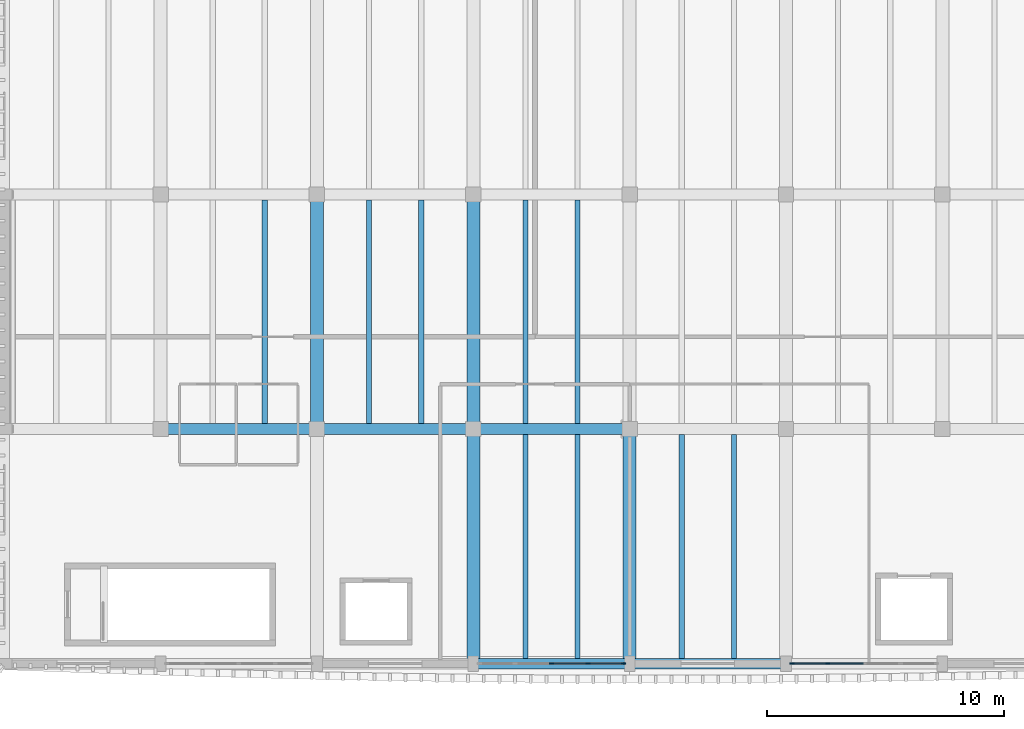
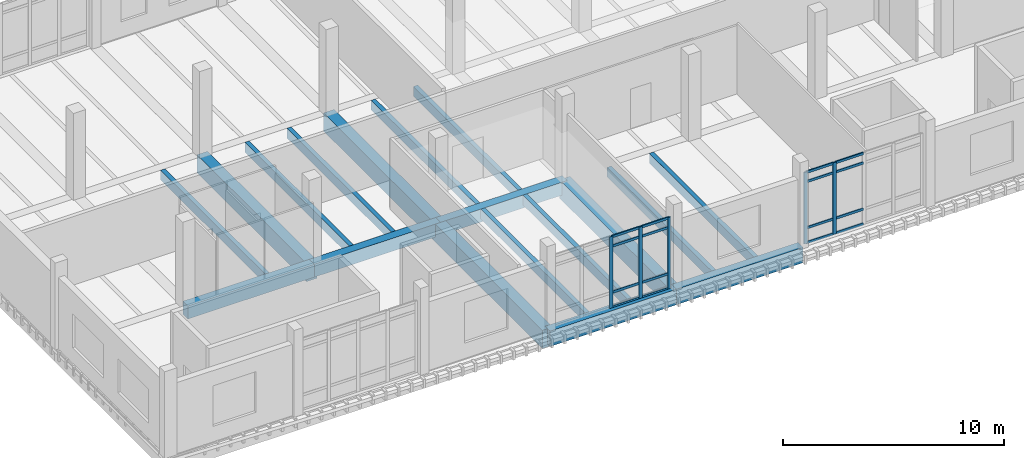
# One storey, part 9 of 37: 21 members, 18 beams, 2 elements without a shape of their own.
"""IFC4 building model written with IfcOpenShell, lengths in metres."""

from ifc_helpers import new_model, si_unit, direction, frame, origin, origin_2d, place, context, subcontext, project, spatial, rectangle, extrude, material, material_profile, profile_set, type_object, element, aggregate, save


model = new_model("IFC4")

# Units and contexts
model_context = context("Model", 3, precision=1e-05, world=origin(), true_north=direction((0.0, 1.0)))
body_context = subcontext(model_context, "Body", "Model", "MODEL_VIEW")
ifc_project = project(units=[si_unit("LENGTHUNIT", "METRE"), si_unit("AREAUNIT", "SQUARE_METRE"), si_unit("VOLUMEUNIT", "CUBIC_METRE"), si_unit("PLANEANGLEUNIT", "RADIAN"), si_unit("MASSUNIT", "GRAM", prefix="KILO")], contexts=[model_context])

# Site, building, storey
site_placement = place(None, origin())
site = spatial("IfcSite", under=ifc_project, at=site_placement, CompositionType="ELEMENT")
building_placement = place(site_placement, origin())
building = spatial("IfcBuilding", under=site, at=building_placement, Name="Dornvale Research Institute", CompositionType="ELEMENT")
storey_placement = place(building_placement, frame((0.0, 0.0, 29.39990234375)))
storey = spatial("IfcBuildingStorey", under=building, at=storey_placement, Name="L06", CompositionType="ELEMENT", Elevation=29.39990234375)

# Beams
ifc_material_1 = material(Name="Concrete f'c 45 MPa (C35/45)", Category="concrete")
ifc_material_profile_1 = material_profile(ifc_material_1, rectangle(XDim=0.449951171875, YDim=0.715087890625, at=origin_2d()), Name="RC 450x715")
ifc_profile_set_1 = profile_set([ifc_material_profile_1], Name="Concrete f'c 45 MPa (C35/45)")
beam_type_1 = type_object("IfcBeamType", Name="Beam_RC450x715_Lab", PredefinedType="BEAM", material=ifc_profile_set_1)
for number, where, z_axis, x_axis, name in (
    (1, (125.39990234375, 102.300048828125, -0.357421875), (1.0, 0.0, 0.0), (0.0, 1.0, 0.0), "L06 primary girder #1507"),
    (2, (132.0, 102.300048828125, -0.357421875), (1.0, 0.0, 0.0), (0.0, 1.0, 0.0), "L06 primary girder #1508"),
):
    element("IfcBeam", number, at=place(storey_placement, frame(where, z_axis=z_axis, x_axis=x_axis)), inside=storey, type_object=beam_type_1, Name=name, PredefinedType="BEAM", context=body_context, shape_type="SweptSolid", body=[
        extrude(rectangle(XDim=0.449951171875, YDim=0.715087890625, at=origin_2d()), origin(), (0.0, 0.0, 1.0), 6.60009765625),
    ])
beam_1_placement = place(storey_placement, frame((138.60009765625, 102.300048828125, -0.357421875), z_axis=(1.0, 0.0, 0.0), x_axis=(0.0, 1.0, 0.0)))
element("IfcBeam", 3, at=beam_1_placement, inside=storey, type_object=beam_type_1, Name="L06 primary girder #1509", PredefinedType="BEAM", context=body_context, shape_type="SweptSolid", body=[
    extrude(rectangle(XDim=0.449951171875, YDim=0.715087890625, at=origin_2d()), origin(), (0.0, 0.0, 1.0), 6.599853515625),
])
ifc_material_2 = material(Name="Concrete f'c 45 MPa (C35/45)", Category="concrete")
ifc_material_profile_2 = material_profile(ifc_material_2, rectangle(XDim=0.550048828125, YDim=1.0, at=origin_2d()), Name="RC 550x1000")
ifc_profile_set_2 = profile_set([ifc_material_profile_2], Name="Concrete f'c 45 MPa (C35/45)")
beam_type_2 = type_object("IfcBeamType", Name="Beam_RC550x1000_Girder", PredefinedType="BEAM", material=ifc_profile_set_2)
beam_2_placement = place(storey_placement, frame((132.0, 102.300048828125, -0.5), z_axis=(0.0, 1.0, 0.0), x_axis=(-1.0, 0.0, 0.0)))
element("IfcBeam", 4, at=beam_2_placement, inside=storey, type_object=beam_type_2, Name="L06 transverse girder #1536", PredefinedType="BEAM", context=body_context, shape_type="SweptSolid", body=[
    extrude(rectangle(XDim=0.550048828125, YDim=1.0, at=origin_2d()), origin(), (0.0, 0.0, 1.0), 9.89990234375),
])
beam_3_placement = place(storey_placement, frame((138.60009765625, 92.39990234375, -0.5), z_axis=(0.0, 1.0, 0.0), x_axis=(-1.0, 0.0, 0.0)))
element("IfcBeam", 5, at=beam_3_placement, inside=storey, type_object=beam_type_2, Name="L06 transverse girder #1538", PredefinedType="BEAM", context=body_context, shape_type="SweptSolid", body=[
    extrude(rectangle(XDim=0.550048828125, YDim=1.0, at=origin_2d()), origin(), (0.0, 0.0, 1.0), 9.900146484375),
])
beam_4_placement = place(storey_placement, frame((138.60009765625, 102.300048828125, -0.5), z_axis=(0.0, 1.0, 0.0), x_axis=(-1.0, 0.0, 0.0)))
element("IfcBeam", 6, at=beam_4_placement, inside=storey, type_object=beam_type_2, Name="L06 transverse girder #1539", PredefinedType="BEAM", context=body_context, shape_type="SweptSolid", body=[
    extrude(rectangle(XDim=0.550048828125, YDim=1.0, at=origin_2d()), origin(), (0.0, 0.0, 1.0), 9.89990234375),
])
beam_5_placement = place(storey_placement, frame((145.199951171875, 92.39990234375, -0.5), z_axis=(0.0, 1.0, 0.0), x_axis=(-1.0, 0.0, 0.0)))
element("IfcBeam", 7, at=beam_5_placement, inside=storey, type_object=beam_type_2, Name="L06 transverse girder #1541", PredefinedType="BEAM", context=body_context, shape_type="SweptSolid", body=[
    extrude(rectangle(XDim=0.550048828125, YDim=1.0, at=origin_2d()), origin(), (0.0, 0.0, 1.0), 9.900146484375),
])
ifc_material_3 = material(Name="Concrete f'c 45 MPa (C35/45)", Category="concrete")
ifc_material_profile_3 = material_profile(ifc_material_3, rectangle(XDim=0.219970703125, YDim=0.534912109375, at=origin_2d()), Name="RC 220x535")
ifc_profile_set_3 = profile_set([ifc_material_profile_3], Name="Concrete f'c 45 MPa (C35/45)")
beam_type_3 = type_object("IfcBeamType", Name="Joist_RC220x535_Waffle", PredefinedType="JOIST", material=ifc_profile_set_3)
for number, where, z_axis, x_axis, name in (
    (8, (129.800048828125, 102.52490234375, -0.267333984375), (0.0, 1.0, 0.0), (-1.0, 0.0, 0.0), "L06 laboratory waffle joist #732"),
    (9, (134.199951171875, 102.52490234375, -0.267333984375), (0.0, 1.0, 0.0), (-1.0, 0.0, 0.0), "L06 laboratory waffle joist #735"),
    (10, (136.39990234375, 102.52490234375, -0.267333984375), (0.0, 1.0, 0.0), (-1.0, 0.0, 0.0), "L06 laboratory waffle joist #736"),
):
    element("IfcBeam", number, at=place(storey_placement, frame(where, z_axis=z_axis, x_axis=x_axis)), inside=storey, type_object=beam_type_3, Name=name, PredefinedType="JOIST", context=body_context, shape_type="SweptSolid", body=[
        extrude(rectangle(XDim=0.219970703125, YDim=0.534912109375, at=origin_2d()), origin(), (0.0, 0.0, 1.0), 9.4501953125),
    ])
for number, where, z_axis, x_axis, name in (
    (11, (140.800048828125, 92.625, -0.267333984375), (0.0, 1.0, 0.0), (-1.0, 0.0, 0.0), "L06 laboratory waffle joist #739"),
    (12, (143.0, 92.625, -0.267333984375), (0.0, 1.0, 0.0), (-1.0, 0.0, 0.0), "L06 laboratory waffle joist #740"),
):
    element("IfcBeam", number, at=place(storey_placement, frame(where, z_axis=z_axis, x_axis=x_axis)), inside=storey, type_object=beam_type_3, Name=name, PredefinedType="JOIST", context=body_context, shape_type="SweptSolid", body=[
        extrude(rectangle(XDim=0.219970703125, YDim=0.534912109375, at=origin_2d()), origin(), (0.0, 0.0, 1.0), 9.449951171875),
    ])
for number, where, z_axis, x_axis, name in (
    (13, (140.800048828125, 102.52490234375, -0.267333984375), (0.0, 1.0, 0.0), (-1.0, 0.0, 0.0), "L06 laboratory waffle joist #741"),
    (14, (143.0, 102.52490234375, -0.267333984375), (0.0, 1.0, 0.0), (-1.0, 0.0, 0.0), "L06 laboratory waffle joist #742"),
):
    element("IfcBeam", number, at=place(storey_placement, frame(where, z_axis=z_axis, x_axis=x_axis)), inside=storey, type_object=beam_type_3, Name=name, PredefinedType="JOIST", context=body_context, shape_type="SweptSolid", body=[
        extrude(rectangle(XDim=0.219970703125, YDim=0.534912109375, at=origin_2d()), origin(), (0.0, 0.0, 1.0), 9.4501953125),
    ])
for number, where, z_axis, x_axis, name in (
    (15, (147.39990234375, 92.625, -0.267333984375), (0.0, 1.0, 0.0), (-1.0, 0.0, 0.0), "L06 laboratory waffle joist #745"),
    (16, (149.60009765625, 92.625, -0.267333984375), (0.0, 1.0, 0.0), (-1.0, 0.0, 0.0), "L06 laboratory waffle joist #746"),
):
    element("IfcBeam", number, at=place(storey_placement, frame(where, z_axis=z_axis, x_axis=x_axis)), inside=storey, type_object=beam_type_3, Name=name, PredefinedType="JOIST", context=body_context, shape_type="SweptSolid", body=[
        extrude(rectangle(XDim=0.219970703125, YDim=0.534912109375, at=origin_2d()), origin(), (0.0, 0.0, 1.0), 9.449951171875),
    ])

# Curtain wall, members
ifc_material_4 = material(Name="Low-E Argon Double Insulating Glazing Unit", Category="glass")
curtain_wall_type = type_object("IfcCurtainWallType", Name="UnitisedCurtainWall_V4_6150x3950", PredefinedType="USERDEFINED", material=ifc_material_4)
curtain_wall_1_placement = place(storey_placement, origin())
curtain_wall_1 = element("IfcCurtainWall", 17, at=curtain_wall_1_placement, inside=storey, type_object=curtain_wall_type, Name="L06 V4 unitised curtain wall CW-15 #122", ObjectType="UNITISED CURTAIN WALL", PredefinedType="USERDEFINED")
ifc_material_5 = material(Name="Anodized Aluminum AA 6063-T6 Thermally Broken Frame", Category="aluminium")
ifc_material_profile_4 = material_profile(ifc_material_5, rectangle(XDim=0.06494140625, YDim=0.179931640625, at=origin_2d()), Name="ALU MULLION 65x180")
ifc_profile_set_4 = profile_set([ifc_material_profile_4], Name="Anodized Aluminum AA 6063-T6 Thermally Broken Frame")
member_type_1 = type_object("IfcMemberType", Name="Mullion_CW_65x180", PredefinedType="MULLION", material=ifc_profile_set_4)
member_1_placement = place(storey_placement, frame((153.5625, 92.39990234375, 0.0), z_axis=(0.0, 0.0, 1.0), x_axis=(0.0, -1.0, 0.0)))
member_1 = element("IfcMember", 18, at=member_1_placement, type_object=member_type_1, Name="CW-15 mullion 4", PredefinedType="MULLION", context=body_context, shape_type="SweptSolid", body=[
    extrude(rectangle(XDim=0.06494140625, YDim=0.179931640625, at=origin_2d()), origin(), (0.0, 0.0, 1.0), 3.9501953125),
])
member_2_placement = place(storey_placement, frame((152.0576171875, 92.39990234375, 0.0), z_axis=(0.0, 0.0, 1.0), x_axis=(0.0, -1.0, 0.0)))
member_2 = element("IfcMember", 19, at=member_2_placement, type_object=member_type_1, Name="CW-15 mullion 5", PredefinedType="MULLION", context=body_context, shape_type="SweptSolid", body=[
    extrude(rectangle(XDim=0.06494140625, YDim=0.179931640625, at=origin_2d()), origin(), (0.0, 0.0, 1.0), 3.9501953125),
])

curtain_wall_2_placement = place(storey_placement, origin())
curtain_wall_2 = element("IfcCurtainWall", 20, at=curtain_wall_2_placement, inside=storey, type_object=curtain_wall_type, Name="L06 V4 unitised curtain wall CW-15 #123", ObjectType="UNITISED CURTAIN WALL", PredefinedType="USERDEFINED")
member_3_placement = place(storey_placement, frame((144.9423828125, 92.39990234375, 0.0), z_axis=(0.0, 0.0, 1.0), x_axis=(0.0, -1.0, 0.0)))
member_3 = element("IfcMember", 21, at=member_3_placement, type_object=member_type_1, Name="CW-15 mullion 1", PredefinedType="MULLION", context=body_context, shape_type="SweptSolid", body=[
    extrude(rectangle(XDim=0.06494140625, YDim=0.179931640625, at=origin_2d()), origin(), (0.0, 0.0, 1.0), 3.9501953125),
])
member_4_placement = place(storey_placement, frame((143.4375, 92.39990234375, 0.0), z_axis=(0.0, 0.0, 1.0), x_axis=(0.0, -1.0, 0.0)))
member_4 = element("IfcMember", 22, at=member_4_placement, type_object=member_type_1, Name="CW-15 mullion 2", PredefinedType="MULLION", context=body_context, shape_type="SweptSolid", body=[
    extrude(rectangle(XDim=0.06494140625, YDim=0.179931640625, at=origin_2d()), origin(), (0.0, 0.0, 1.0), 3.9501953125),
])
member_5_placement = place(storey_placement, frame((141.89990234375, 92.39990234375, 0.0), z_axis=(0.0, 0.0, 1.0), x_axis=(0.0, -1.0, 0.0)))
member_5 = element("IfcMember", 23, at=member_5_placement, type_object=member_type_1, Name="CW-15 mullion 3", PredefinedType="MULLION", context=body_context, shape_type="SweptSolid", body=[
    extrude(rectangle(XDim=0.06494140625, YDim=0.179931640625, at=origin_2d()), origin(), (0.0, 0.0, 1.0), 3.9501953125),
])

# Beams
ifc_material_6 = material(Name="Concrete f'c 45 MPa (C35/45)", Category="concrete")
ifc_material_profile_5 = material_profile(ifc_material_6, rectangle(XDim=0.449951171875, YDim=0.85009765625, at=origin_2d()), Name="RC 450x850")
ifc_profile_set_5 = profile_set([ifc_material_profile_5], Name="Concrete f'c 45 MPa (C35/45)")
beam_type_4 = type_object("IfcBeamType", Name="Spandrel_RC450x850_Ext", PredefinedType="SPANDREL", material=ifc_profile_set_5)
beam_6_placement = place(storey_placement, frame((138.60009765625, 92.39990234375, -0.4248046875), z_axis=(1.0, 0.0, 0.0), x_axis=(0.0, 1.0, 0.0)))
element("IfcBeam", 24, at=beam_6_placement, inside=storey, type_object=beam_type_4, Name="L06 perimeter spandrel #1501", PredefinedType="SPANDREL", context=body_context, shape_type="SweptSolid", body=[
    extrude(rectangle(XDim=0.449951171875, YDim=0.85009765625, at=origin_2d()), origin(), (0.0, 0.0, 1.0), 6.599853515625),
])
beam_7_placement = place(storey_placement, frame((145.199951171875, 92.39990234375, -0.4248046875), z_axis=(1.0, 0.0, 0.0), x_axis=(0.0, 1.0, 0.0)))
element("IfcBeam", 25, at=beam_7_placement, inside=storey, type_object=beam_type_4, Name="L06 perimeter spandrel #1502", PredefinedType="SPANDREL", context=body_context, shape_type="SweptSolid", body=[
    extrude(rectangle(XDim=0.449951171875, YDim=0.85009765625, at=origin_2d()), origin(), (0.0, 0.0, 1.0), 6.60009765625),
])

# Member
ifc_material_7 = material(Name="Anodized Aluminum AA 6063-T6 Thermally Broken Frame", Category="aluminium")
ifc_material_profile_6 = material_profile(ifc_material_7, rectangle(XDim=0.06494140625, YDim=0.135009765625, at=origin_2d()), Name="ALU TRANSOM 65x135")
ifc_profile_set_6 = profile_set([ifc_material_profile_6], Name="Anodized Aluminum AA 6063-T6 Thermally Broken Frame")
member_type_2 = type_object("IfcMemberType", Name="Transom_CW_65x135", PredefinedType="USERDEFINED", material=ifc_profile_set_6)
member_6_placement = place(storey_placement, frame((155.0673828125, 92.39990234375, 0.03271484375), z_axis=(-1.0, 0.0, 0.0), x_axis=(0.0, -1.0, 0.0)))
member_6 = element("IfcMember", 26, at=member_6_placement, type_object=member_type_2, Name="CW-15 transom 3.1", ObjectType="TRANSOM", PredefinedType="USERDEFINED", context=body_context, shape_type="SweptSolid", body=[
    extrude(rectangle(XDim=0.06494140625, YDim=0.135009765625, at=origin_2d()), origin(), (0.0, 0.0, 1.0), 1.472412109375),
])

member_7_placement = place(storey_placement, frame((155.0673828125, 92.39990234375, 0.85009765625), z_axis=(-1.0, 0.0, 0.0), x_axis=(0.0, -1.0, 0.0)))
member_7 = element("IfcMember", 27, at=member_7_placement, type_object=member_type_2, Name="CW-15 transom 3.2", ObjectType="TRANSOM", PredefinedType="USERDEFINED", context=body_context, shape_type="SweptSolid", body=[
    extrude(rectangle(XDim=0.06494140625, YDim=0.135009765625, at=origin_2d()), origin(), (0.0, 0.0, 1.0), 1.472412109375),
])

member_8_placement = place(storey_placement, frame((155.0673828125, 92.39990234375, 3.400146484375), z_axis=(-1.0, 0.0, 0.0), x_axis=(0.0, -1.0, 0.0)))
member_8 = element("IfcMember", 28, at=member_8_placement, type_object=member_type_2, Name="CW-15 transom 3.3", ObjectType="TRANSOM", PredefinedType="USERDEFINED", context=body_context, shape_type="SweptSolid", body=[
    extrude(rectangle(XDim=0.06494140625, YDim=0.135009765625, at=origin_2d()), origin(), (0.0, 0.0, 1.0), 1.472412109375),
])

member_9_placement = place(storey_placement, frame((155.0673828125, 92.39990234375, 3.91748046875), z_axis=(-1.0, 0.0, 0.0), x_axis=(0.0, -1.0, 0.0)))
member_9 = element("IfcMember", 29, at=member_9_placement, type_object=member_type_2, Name="CW-15 transom 3.4", ObjectType="TRANSOM", PredefinedType="USERDEFINED", context=body_context, shape_type="SweptSolid", body=[
    extrude(rectangle(XDim=0.06494140625, YDim=0.135009765625, at=origin_2d()), origin(), (0.0, 0.0, 1.0), 1.472412109375),
])

member_10_placement = place(storey_placement, frame((153.530029296875, 92.39990234375, 0.03271484375), z_axis=(-1.0, 0.0, 0.0), x_axis=(0.0, -1.0, 0.0)))
member_10 = element("IfcMember", 30, at=member_10_placement, type_object=member_type_2, Name="CW-15 transom 4.1", ObjectType="TRANSOM", PredefinedType="USERDEFINED", context=body_context, shape_type="SweptSolid", body=[
    extrude(rectangle(XDim=0.06494140625, YDim=0.135009765625, at=origin_2d()), origin(), (0.0, 0.0, 1.0), 1.43994140625),
])

member_11_placement = place(storey_placement, frame((153.530029296875, 92.39990234375, 0.85009765625), z_axis=(-1.0, 0.0, 0.0), x_axis=(0.0, -1.0, 0.0)))
member_11 = element("IfcMember", 31, at=member_11_placement, type_object=member_type_2, Name="CW-15 transom 4.2", ObjectType="TRANSOM", PredefinedType="USERDEFINED", context=body_context, shape_type="SweptSolid", body=[
    extrude(rectangle(XDim=0.06494140625, YDim=0.135009765625, at=origin_2d()), origin(), (0.0, 0.0, 1.0), 1.43994140625),
])

member_12_placement = place(storey_placement, frame((153.530029296875, 92.39990234375, 3.400146484375), z_axis=(-1.0, 0.0, 0.0), x_axis=(0.0, -1.0, 0.0)))
member_12 = element("IfcMember", 32, at=member_12_placement, type_object=member_type_2, Name="CW-15 transom 4.3", ObjectType="TRANSOM", PredefinedType="USERDEFINED", context=body_context, shape_type="SweptSolid", body=[
    extrude(rectangle(XDim=0.06494140625, YDim=0.135009765625, at=origin_2d()), origin(), (0.0, 0.0, 1.0), 1.43994140625),
])

member_13_placement = place(storey_placement, frame((153.530029296875, 92.39990234375, 3.91748046875), z_axis=(-1.0, 0.0, 0.0), x_axis=(0.0, -1.0, 0.0)))
member_13 = element("IfcMember", 33, at=member_13_placement, type_object=member_type_2, Name="CW-15 transom 4.4", ObjectType="TRANSOM", PredefinedType="USERDEFINED", context=body_context, shape_type="SweptSolid", body=[
    extrude(rectangle(XDim=0.06494140625, YDim=0.135009765625, at=origin_2d()), origin(), (0.0, 0.0, 1.0), 1.43994140625),
])

aggregate(curtain_wall_1, [member_1, member_2, member_6, member_7, member_8, member_9, member_10, member_11, member_12, member_13])

member_14_placement = place(storey_placement, frame((144.909912109375, 92.39990234375, 0.03271484375), z_axis=(-1.0, 0.0, 0.0), x_axis=(0.0, -1.0, 0.0)))
member_14 = element("IfcMember", 34, at=member_14_placement, type_object=member_type_2, Name="CW-15 transom 1.1", ObjectType="TRANSOM", PredefinedType="USERDEFINED", context=body_context, shape_type="SweptSolid", body=[
    extrude(rectangle(XDim=0.06494140625, YDim=0.135009765625, at=origin_2d()), origin(), (0.0, 0.0, 1.0), 1.43994140625),
])

member_15_placement = place(storey_placement, frame((144.909912109375, 92.39990234375, 0.85009765625), z_axis=(-1.0, 0.0, 0.0), x_axis=(0.0, -1.0, 0.0)))
member_15 = element("IfcMember", 35, at=member_15_placement, type_object=member_type_2, Name="CW-15 transom 1.2", ObjectType="TRANSOM", PredefinedType="USERDEFINED", context=body_context, shape_type="SweptSolid", body=[
    extrude(rectangle(XDim=0.06494140625, YDim=0.135009765625, at=origin_2d()), origin(), (0.0, 0.0, 1.0), 1.43994140625),
])

member_16_placement = place(storey_placement, frame((144.909912109375, 92.39990234375, 3.400146484375), z_axis=(-1.0, 0.0, 0.0), x_axis=(0.0, -1.0, 0.0)))
member_16 = element("IfcMember", 36, at=member_16_placement, type_object=member_type_2, Name="CW-15 transom 1.3", ObjectType="TRANSOM", PredefinedType="USERDEFINED", context=body_context, shape_type="SweptSolid", body=[
    extrude(rectangle(XDim=0.06494140625, YDim=0.135009765625, at=origin_2d()), origin(), (0.0, 0.0, 1.0), 1.43994140625),
])

member_17_placement = place(storey_placement, frame((144.909912109375, 92.39990234375, 3.91748046875), z_axis=(-1.0, 0.0, 0.0), x_axis=(0.0, -1.0, 0.0)))
member_17 = element("IfcMember", 37, at=member_17_placement, type_object=member_type_2, Name="CW-15 transom 1.4", ObjectType="TRANSOM", PredefinedType="USERDEFINED", context=body_context, shape_type="SweptSolid", body=[
    extrude(rectangle(XDim=0.06494140625, YDim=0.135009765625, at=origin_2d()), origin(), (0.0, 0.0, 1.0), 1.43994140625),
])

member_18_placement = place(storey_placement, frame((143.405029296875, 92.39990234375, 0.03271484375), z_axis=(-1.0, 0.0, 0.0), x_axis=(0.0, -1.0, 0.0)))
member_18 = element("IfcMember", 38, at=member_18_placement, type_object=member_type_2, Name="CW-15 transom 2.1", ObjectType="TRANSOM", PredefinedType="USERDEFINED", context=body_context, shape_type="SweptSolid", body=[
    extrude(rectangle(XDim=0.06494140625, YDim=0.135009765625, at=origin_2d()), origin(), (0.0, 0.0, 1.0), 1.472412109375),
])

member_19_placement = place(storey_placement, frame((143.405029296875, 92.39990234375, 0.85009765625), z_axis=(-1.0, 0.0, 0.0), x_axis=(0.0, -1.0, 0.0)))
member_19 = element("IfcMember", 39, at=member_19_placement, type_object=member_type_2, Name="CW-15 transom 2.2", ObjectType="TRANSOM", PredefinedType="USERDEFINED", context=body_context, shape_type="SweptSolid", body=[
    extrude(rectangle(XDim=0.06494140625, YDim=0.135009765625, at=origin_2d()), origin(), (0.0, 0.0, 1.0), 1.472412109375),
])

member_20_placement = place(storey_placement, frame((143.405029296875, 92.39990234375, 3.400146484375), z_axis=(-1.0, 0.0, 0.0), x_axis=(0.0, -1.0, 0.0)))
member_20 = element("IfcMember", 40, at=member_20_placement, type_object=member_type_2, Name="CW-15 transom 2.3", ObjectType="TRANSOM", PredefinedType="USERDEFINED", context=body_context, shape_type="SweptSolid", body=[
    extrude(rectangle(XDim=0.06494140625, YDim=0.135009765625, at=origin_2d()), origin(), (0.0, 0.0, 1.0), 1.472412109375),
])

member_21_placement = place(storey_placement, frame((143.405029296875, 92.39990234375, 3.91748046875), z_axis=(-1.0, 0.0, 0.0), x_axis=(0.0, -1.0, 0.0)))
member_21 = element("IfcMember", 41, at=member_21_placement, type_object=member_type_2, Name="CW-15 transom 2.4", ObjectType="TRANSOM", PredefinedType="USERDEFINED", context=body_context, shape_type="SweptSolid", body=[
    extrude(rectangle(XDim=0.06494140625, YDim=0.135009765625, at=origin_2d()), origin(), (0.0, 0.0, 1.0), 1.472412109375),
])

aggregate(curtain_wall_2, [member_3, member_4, member_5, member_14, member_15, member_16, member_17, member_18, member_19, member_20, member_21])

save(model, "model.ifc")
